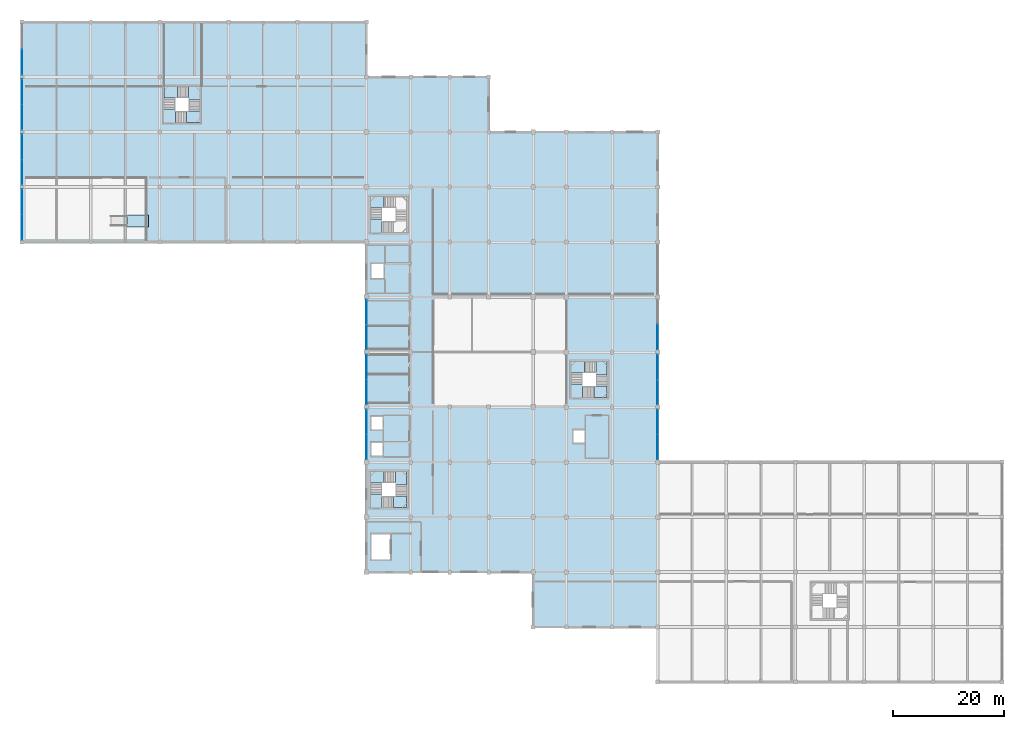
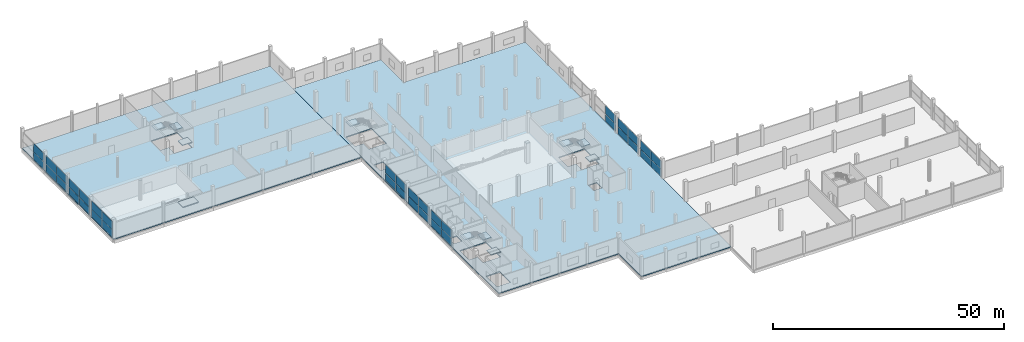
# One storey, part 40 of 72: 36 plates, 13 slabs, 14 elements without a shape of their own.
"""IFC4 building model written with IfcOpenShell, lengths in metres."""

from ifc_helpers import new_model, si_unit, direction, frame, origin, origin_2d, place, context, subcontext, project, spatial, polyline, rectangle, outline, extrude, material, layer, layer_set, type_object, element, aggregate, save


model = new_model("IFC4")

# Units and contexts
model_context = context("Model", 3, precision=1e-05, world=origin(), true_north=direction((0.0, 1.0)))
body_context = subcontext(model_context, "Body", "Model", "MODEL_VIEW")
ifc_project = project(units=[si_unit("LENGTHUNIT", "METRE"), si_unit("AREAUNIT", "SQUARE_METRE"), si_unit("VOLUMEUNIT", "CUBIC_METRE"), si_unit("PLANEANGLEUNIT", "RADIAN"), si_unit("MASSUNIT", "GRAM", prefix="KILO")], contexts=[model_context])

# Site, building, storey
site_placement = place(None, origin())
site = spatial("IfcSite", under=ifc_project, at=site_placement, CompositionType="ELEMENT")
building_placement = place(site_placement, origin())
building = spatial("IfcBuilding", under=site, at=building_placement, Name="Sillaruma Civic Art Gallery", CompositionType="ELEMENT")
storey_placement = place(building_placement, frame((0.0, 0.0, 10.8798828125)))
storey = spatial("IfcBuildingStorey", under=building, at=storey_placement, Name="L02", CompositionType="ELEMENT", Elevation=10.8798828125)

# Curtain wall, plates
ifc_material_1 = material(Name="Thermally Broken Extruded Aluminium 6063-T6", Category="aluminium")
ifc_layer_1 = layer(ifc_material_1, 0.139892578125, Name="Thermally Broken Extruded Aluminium 6063-T6")
ifc_layer_set_1 = layer_set([ifc_layer_1], Name="Thermally Broken Extruded Aluminium 6063-T6")
curtain_wall_type_1 = type_object("IfcCurtainWallType", Name="CW-UNI-08", PredefinedType="NOTDEFINED", material=ifc_layer_set_1)
curtain_wall_1_placement = place(storey_placement, origin())
curtain_wall_1 = element("IfcCurtainWall", 1, at=curtain_wall_1_placement, inside=storey, type_object=curtain_wall_type_1, Name="Unitised Curtain Wall CW-08 (CW-L02-WSTR-1)", PredefinedType="NOTDEFINED")
ifc_material_2 = material(Name="Low-E UV-Filtered Laminated Insulating Glass", Category="glass")
ifc_layer_2 = layer(ifc_material_2, 0.028076171875, Name="Low-E UV-Filtered Laminated Insulating Glass")
ifc_layer_set_2 = layer_set([ifc_layer_2], Name="Low-E UV-Filtered Laminated Insulating Glass")
plate_type_1 = type_object("IfcPlateType", Name="PNL-GLZ-28", PredefinedType="CURTAIN_PANEL", material=ifc_layer_set_2)
plate_1_placement = place(storey_placement, frame((0.0, 81.864990234375, 0.06005859375), z_axis=(0.0, 0.0, 1.0), x_axis=(0.0, 1.0, 0.0)))
plate_1 = element("IfcPlate", 2, at=plate_1_placement, type_object=plate_type_1, Name="CW-08 panel 1.1", PredefinedType="CURTAIN_PANEL", context=body_context, shape_type="SweptSolid", body=[
    extrude(rectangle(XDim=4.510009765625, YDim=0.028076171875, at=origin_2d()), origin(), (0.0, 0.0, 1.0), 1.9248046875),
])
plate_2_placement = place(storey_placement, frame((0.0, 81.864990234375, 2.044921875), z_axis=(0.0, 0.0, 1.0), x_axis=(0.0, 1.0, 0.0)))
plate_2 = element("IfcPlate", 3, at=plate_2_placement, type_object=plate_type_1, Name="CW-08 panel 1.2", PredefinedType="CURTAIN_PANEL", context=body_context, shape_type="SweptSolid", body=[
    extrude(rectangle(XDim=4.510009765625, YDim=0.028076171875, at=origin_2d()), origin(), (0.0, 0.0, 1.0), 2.275146484375),
])
plate_3_placement = place(storey_placement, frame((0.0, 86.43505859375, 0.06005859375), z_axis=(0.0, 0.0, 1.0), x_axis=(0.0, 1.0, 0.0)))
plate_3 = element("IfcPlate", 4, at=plate_3_placement, type_object=plate_type_1, Name="CW-08 panel 2.1", PredefinedType="CURTAIN_PANEL", context=body_context, shape_type="SweptSolid", body=[
    extrude(rectangle(XDim=4.510009765625, YDim=0.028076171875, at=origin_2d()), origin(), (0.0, 0.0, 1.0), 1.9248046875),
])
plate_4_placement = place(storey_placement, frame((0.0, 86.43505859375, 2.044921875), z_axis=(0.0, 0.0, 1.0), x_axis=(0.0, 1.0, 0.0)))
plate_4 = element("IfcPlate", 5, at=plate_4_placement, type_object=plate_type_1, Name="CW-08 panel 2.2", PredefinedType="CURTAIN_PANEL", context=body_context, shape_type="SweptSolid", body=[
    extrude(rectangle(XDim=4.510009765625, YDim=0.028076171875, at=origin_2d()), origin(), (0.0, 0.0, 1.0), 2.275146484375),
])
aggregate(curtain_wall_1, [plate_1, plate_2, plate_3, plate_4])

ifc_layer_3 = layer(ifc_material_1, 0.159912109375, Name="Thermally Broken Extruded Aluminium 6063-T6")
ifc_layer_set_3 = layer_set([ifc_layer_3], Name="Thermally Broken Extruded Aluminium 6063-T6")
curtain_wall_type_2 = type_object("IfcCurtainWallType", Name="CW-UNI-10", PredefinedType="NOTDEFINED", material=ifc_layer_set_3)
curtain_wall_2_placement = place(storey_placement, origin())
curtain_wall_2 = element("IfcCurtainWall", 6, at=curtain_wall_2_placement, inside=storey, type_object=curtain_wall_type_2, Name="Unitised Curtain Wall CW-10 (CW-L02-WSTR-3)", PredefinedType="NOTDEFINED")
ifc_layer_4 = layer(ifc_material_2, 0.030029296875, Name="Low-E UV-Filtered Laminated Insulating Glass")
ifc_layer_set_4 = layer_set([ifc_layer_4], Name="Low-E UV-Filtered Laminated Insulating Glass")
plate_type_2 = type_object("IfcPlateType", Name="PNL-GLZ-30", PredefinedType="CURTAIN_PANEL", material=ifc_layer_set_4)
plate_5_placement = place(storey_placement, frame((0.0, 101.666259765625, 0.06005859375), z_axis=(0.0, 0.0, 1.0), x_axis=(0.0, 1.0, 0.0)))
plate_5 = element("IfcPlate", 7, at=plate_5_placement, type_object=plate_type_2, Name="CW-10 panel 1.1", PredefinedType="CURTAIN_PANEL", context=body_context, shape_type="SweptSolid", body=[
    extrude(rectangle(XDim=4.50244140625, YDim=0.030029296875, at=origin_2d()), origin(), (0.0, 0.0, 1.0), 1.9248046875),
])
plate_6_placement = place(storey_placement, frame((0.0, 101.666259765625, 2.044921875), z_axis=(0.0, 0.0, 1.0), x_axis=(0.0, 1.0, 0.0)))
plate_6 = element("IfcPlate", 8, at=plate_6_placement, type_object=plate_type_2, Name="CW-10 panel 1.2", PredefinedType="CURTAIN_PANEL", context=body_context, shape_type="SweptSolid", body=[
    extrude(rectangle(XDim=4.50244140625, YDim=0.030029296875, at=origin_2d()), origin(), (0.0, 0.0, 1.0), 2.275146484375),
])
plate_7_placement = place(storey_placement, frame((0.0, 106.233642578125, 0.06005859375), z_axis=(0.0, 0.0, 1.0), x_axis=(0.0, 1.0, 0.0)))
plate_7 = element("IfcPlate", 9, at=plate_7_placement, type_object=plate_type_2, Name="CW-10 panel 2.1", PredefinedType="CURTAIN_PANEL", context=body_context, shape_type="SweptSolid", body=[
    extrude(rectangle(XDim=4.50244140625, YDim=0.030029296875, at=origin_2d()), origin(), (0.0, 0.0, 1.0), 1.9248046875),
])
plate_8_placement = place(storey_placement, frame((0.0, 106.233642578125, 2.044921875), z_axis=(0.0, 0.0, 1.0), x_axis=(0.0, 1.0, 0.0)))
plate_8 = element("IfcPlate", 10, at=plate_8_placement, type_object=plate_type_2, Name="CW-10 panel 2.2", PredefinedType="CURTAIN_PANEL", context=body_context, shape_type="SweptSolid", body=[
    extrude(rectangle(XDim=4.50244140625, YDim=0.030029296875, at=origin_2d()), origin(), (0.0, 0.0, 1.0), 2.275146484375),
])
aggregate(curtain_wall_2, [plate_5, plate_6, plate_7, plate_8])

ifc_layer_5 = layer(ifc_material_1, 0.159912109375, Name="Thermally Broken Extruded Aluminium 6063-T6")
ifc_layer_set_5 = layer_set([ifc_layer_5], Name="Thermally Broken Extruded Aluminium 6063-T6")
curtain_wall_type_3 = type_object("IfcCurtainWallType", Name="CW-UNI-14", PredefinedType="NOTDEFINED", material=ifc_layer_set_5)
curtain_wall_3_placement = place(storey_placement, origin())
curtain_wall_3 = element("IfcCurtainWall", 11, at=curtain_wall_3_placement, inside=storey, type_object=curtain_wall_type_3, Name="Unitised Curtain Wall CW-14 (CW-L02-SPW-3)", PredefinedType="NOTDEFINED")
plate_9_placement = place(storey_placement, frame((62.0, 42.3037109375, 0.06005859375), z_axis=(0.0, 0.0, 1.0), x_axis=(0.0, 1.0, 0.0)))
plate_9 = element("IfcPlate", 12, at=plate_9_placement, type_object=plate_type_2, Name="CW-14 panel 1.1", PredefinedType="CURTAIN_PANEL", context=body_context, shape_type="SweptSolid", body=[
    extrude(rectangle(XDim=4.427490234375, YDim=0.030029296875, at=origin_2d()), origin(), (0.0, 0.0, 1.0), 1.9248046875),
])
plate_10_placement = place(storey_placement, frame((62.0, 42.3037109375, 2.044921875), z_axis=(0.0, 0.0, 1.0), x_axis=(0.0, 1.0, 0.0)))
plate_10 = element("IfcPlate", 13, at=plate_10_placement, type_object=plate_type_2, Name="CW-14 panel 1.2", PredefinedType="CURTAIN_PANEL", context=body_context, shape_type="SweptSolid", body=[
    extrude(rectangle(XDim=4.427490234375, YDim=0.030029296875, at=origin_2d()), origin(), (0.0, 0.0, 1.0), 2.275146484375),
])
plate_11_placement = place(storey_placement, frame((62.0, 46.796142578125, 0.06005859375), z_axis=(0.0, 0.0, 1.0), x_axis=(0.0, 1.0, 0.0)))
plate_11 = element("IfcPlate", 14, at=plate_11_placement, type_object=plate_type_2, Name="CW-14 panel 2.1", PredefinedType="CURTAIN_PANEL", context=body_context, shape_type="SweptSolid", body=[
    extrude(rectangle(XDim=4.427490234375, YDim=0.030029296875, at=origin_2d()), origin(), (0.0, 0.0, 1.0), 1.9248046875),
])
plate_12_placement = place(storey_placement, frame((62.0, 46.796142578125, 2.044921875), z_axis=(0.0, 0.0, 1.0), x_axis=(0.0, 1.0, 0.0)))
plate_12 = element("IfcPlate", 15, at=plate_12_placement, type_object=plate_type_2, Name="CW-14 panel 2.2", PredefinedType="CURTAIN_PANEL", context=body_context, shape_type="SweptSolid", body=[
    extrude(rectangle(XDim=4.427490234375, YDim=0.030029296875, at=origin_2d()), origin(), (0.0, 0.0, 1.0), 2.275146484375),
])
aggregate(curtain_wall_3, [plate_9, plate_10, plate_11, plate_12])

ifc_layer_6 = layer(ifc_material_1, 0.159912109375, Name="Thermally Broken Extruded Aluminium 6063-T6")
ifc_layer_set_6 = layer_set([ifc_layer_6], Name="Thermally Broken Extruded Aluminium 6063-T6")
curtain_wall_type_4 = type_object("IfcCurtainWallType", Name="CW-UNI-17", PredefinedType="NOTDEFINED", material=ifc_layer_set_6)
curtain_wall_4_placement = place(storey_placement, origin())
curtain_wall_4 = element("IfcCurtainWall", 16, at=curtain_wall_4_placement, inside=storey, type_object=curtain_wall_type_4, Name="Unitised Curtain Wall CW-17 (CW-L02-SPE-5)", PredefinedType="NOTDEFINED")
ifc_layer_7 = layer(ifc_material_2, 0.031982421875, Name="Low-E UV-Filtered Laminated Insulating Glass")
ifc_layer_set_7 = layer_set([ifc_layer_7], Name="Low-E UV-Filtered Laminated Insulating Glass")
plate_type_3 = type_object("IfcPlateType", Name="PNL-GLZ-32", PredefinedType="CURTAIN_PANEL", material=ifc_layer_set_7)
plate_13_placement = place(storey_placement, frame((114.39990234375, 62.09130859375, 0.06494140625), z_axis=(0.0, 0.0, 1.0), x_axis=(0.0, 1.0, 0.0)))
plate_13 = element("IfcPlate", 17, at=plate_13_placement, type_object=plate_type_3, Name="CW-17 panel 1.1", PredefinedType="CURTAIN_PANEL", context=body_context, shape_type="SweptSolid", body=[
    extrude(rectangle(XDim=4.452392578125, YDim=0.031982421875, at=origin_2d()), origin(), (0.0, 0.0, 1.0), 1.917236328125),
])
plate_14_placement = place(storey_placement, frame((114.39990234375, 62.09130859375, 2.04736328125), z_axis=(0.0, 0.0, 1.0), x_axis=(0.0, 1.0, 0.0)))
plate_14 = element("IfcPlate", 18, at=plate_14_placement, type_object=plate_type_3, Name="CW-17 panel 1.2", PredefinedType="CURTAIN_PANEL", context=body_context, shape_type="SweptSolid", body=[
    extrude(rectangle(XDim=4.452392578125, YDim=0.031982421875, at=origin_2d()), origin(), (0.0, 0.0, 1.0), 2.267578125),
])
aggregate(curtain_wall_4, [plate_13, plate_14])

ifc_layer_8 = layer(ifc_material_1, 0.139892578125, Name="Thermally Broken Extruded Aluminium 6063-T6")
ifc_layer_set_8 = layer_set([ifc_layer_8], Name="Thermally Broken Extruded Aluminium 6063-T6")
curtain_wall_type_5 = type_object("IfcCurtainWallType", Name="CW-UNI-11", PredefinedType="NOTDEFINED", material=ifc_layer_set_8)
curtain_wall_5_placement = place(storey_placement, origin())
curtain_wall_5 = element("IfcCurtainWall", 19, at=curtain_wall_5_placement, inside=storey, type_object=curtain_wall_type_5, Name="Unitised Curtain Wall CW-11 (CW-L02-WSTR-4)", PredefinedType="NOTDEFINED")
ifc_layer_9 = layer(ifc_material_2, 0.033935546875, Name="Low-E UV-Filtered Laminated Insulating Glass")
ifc_layer_set_9 = layer_set([ifc_layer_9], Name="Low-E UV-Filtered Laminated Insulating Glass")
plate_type_4 = type_object("IfcPlateType", Name="PNL-GLZ-34", PredefinedType="CURTAIN_PANEL", material=ifc_layer_set_9)
plate_15_placement = place(storey_placement, frame((0.0, 111.56494140625, 0.06494140625), z_axis=(0.0, 0.0, 1.0), x_axis=(0.0, 1.0, 0.0)))
plate_15 = element("IfcPlate", 20, at=plate_15_placement, type_object=plate_type_4, Name="CW-11 panel 1.1", PredefinedType="CURTAIN_PANEL", context=body_context, shape_type="SweptSolid", body=[
    extrude(rectangle(XDim=4.510009765625, YDim=0.033935546875, at=origin_2d()), origin(), (0.0, 0.0, 1.0), 1.917236328125),
])
plate_16_placement = place(storey_placement, frame((0.0, 111.56494140625, 2.04736328125), z_axis=(0.0, 0.0, 1.0), x_axis=(0.0, 1.0, 0.0)))
plate_16 = element("IfcPlate", 21, at=plate_16_placement, type_object=plate_type_4, Name="CW-11 panel 1.2", PredefinedType="CURTAIN_PANEL", context=body_context, shape_type="SweptSolid", body=[
    extrude(rectangle(XDim=4.510009765625, YDim=0.033935546875, at=origin_2d()), origin(), (0.0, 0.0, 1.0), 2.267578125),
])
aggregate(curtain_wall_5, [plate_15, plate_16])

ifc_layer_10 = layer(ifc_material_1, 0.139892578125, Name="Thermally Broken Extruded Aluminium 6063-T6")
ifc_layer_set_10 = layer_set([ifc_layer_10], Name="Thermally Broken Extruded Aluminium 6063-T6")
curtain_wall_type_6 = type_object("IfcCurtainWallType", Name="CW-UNI-15", PredefinedType="NOTDEFINED", material=ifc_layer_set_10)
curtain_wall_6_placement = place(storey_placement, origin())
curtain_wall_6 = element("IfcCurtainWall", 22, at=curtain_wall_6_placement, inside=storey, type_object=curtain_wall_type_6, Name="Unitised Curtain Wall CW-15 (CW-L02-SPE-3)", PredefinedType="NOTDEFINED")
plate_17_placement = place(storey_placement, frame((114.39990234375, 42.2900390625, 0.06494140625), z_axis=(0.0, 0.0, 1.0), x_axis=(0.0, 1.0, 0.0)))
plate_17 = element("IfcPlate", 23, at=plate_17_placement, type_object=plate_type_4, Name="CW-15 panel 1.1", PredefinedType="CURTAIN_PANEL", context=body_context, shape_type="SweptSolid", body=[
    extrude(rectangle(XDim=4.4599609375, YDim=0.033935546875, at=origin_2d()), origin(), (0.0, 0.0, 1.0), 1.917236328125),
])
plate_18_placement = place(storey_placement, frame((114.39990234375, 42.2900390625, 2.04736328125), z_axis=(0.0, 0.0, 1.0), x_axis=(0.0, 1.0, 0.0)))
plate_18 = element("IfcPlate", 24, at=plate_18_placement, type_object=plate_type_4, Name="CW-15 panel 1.2", PredefinedType="CURTAIN_PANEL", context=body_context, shape_type="SweptSolid", body=[
    extrude(rectangle(XDim=4.4599609375, YDim=0.033935546875, at=origin_2d()), origin(), (0.0, 0.0, 1.0), 2.267578125),
])
plate_19_placement = place(storey_placement, frame((114.39990234375, 46.81005859375, 0.06494140625), z_axis=(0.0, 0.0, 1.0), x_axis=(0.0, 1.0, 0.0)))
plate_19 = element("IfcPlate", 25, at=plate_19_placement, type_object=plate_type_4, Name="CW-15 panel 2.1", PredefinedType="CURTAIN_PANEL", context=body_context, shape_type="SweptSolid", body=[
    extrude(rectangle(XDim=4.4599609375, YDim=0.033935546875, at=origin_2d()), origin(), (0.0, 0.0, 1.0), 1.917236328125),
])
plate_20_placement = place(storey_placement, frame((114.39990234375, 46.81005859375, 2.04736328125), z_axis=(0.0, 0.0, 1.0), x_axis=(0.0, 1.0, 0.0)))
plate_20 = element("IfcPlate", 26, at=plate_20_placement, type_object=plate_type_4, Name="CW-15 panel 2.2", PredefinedType="CURTAIN_PANEL", context=body_context, shape_type="SweptSolid", body=[
    extrude(rectangle(XDim=4.4599609375, YDim=0.033935546875, at=origin_2d()), origin(), (0.0, 0.0, 1.0), 2.267578125),
])
aggregate(curtain_wall_6, [plate_17, plate_18, plate_19, plate_20])

curtain_wall_7_placement = place(storey_placement, origin())
curtain_wall_7 = element("IfcCurtainWall", 27, at=curtain_wall_7_placement, inside=storey, type_object=curtain_wall_type_6, Name="Unitised Curtain Wall CW-15 (CW-L02-SPW-4)", PredefinedType="NOTDEFINED")
plate_21_placement = place(storey_placement, frame((62.0, 52.202392578125, 0.06494140625), z_axis=(0.0, 0.0, 1.0), x_axis=(0.0, 1.0, 0.0)))
plate_21 = element("IfcPlate", 28, at=plate_21_placement, type_object=plate_type_4, Name="CW-15 panel 1.1", PredefinedType="CURTAIN_PANEL", context=body_context, shape_type="SweptSolid", body=[
    extrude(rectangle(XDim=4.43505859375, YDim=0.033935546875, at=origin_2d()), origin(), (0.0, 0.0, 1.0), 1.917236328125),
])
plate_22_placement = place(storey_placement, frame((62.0, 52.202392578125, 2.04736328125), z_axis=(0.0, 0.0, 1.0), x_axis=(0.0, 1.0, 0.0)))
plate_22 = element("IfcPlate", 29, at=plate_22_placement, type_object=plate_type_4, Name="CW-15 panel 1.2", PredefinedType="CURTAIN_PANEL", context=body_context, shape_type="SweptSolid", body=[
    extrude(rectangle(XDim=4.43505859375, YDim=0.033935546875, at=origin_2d()), origin(), (0.0, 0.0, 1.0), 2.267578125),
])
plate_23_placement = place(storey_placement, frame((62.0, 56.697509765625, 0.06494140625), z_axis=(0.0, 0.0, 1.0), x_axis=(0.0, 1.0, 0.0)))
plate_23 = element("IfcPlate", 30, at=plate_23_placement, type_object=plate_type_4, Name="CW-15 panel 2.1", PredefinedType="CURTAIN_PANEL", context=body_context, shape_type="SweptSolid", body=[
    extrude(rectangle(XDim=4.43505859375, YDim=0.033935546875, at=origin_2d()), origin(), (0.0, 0.0, 1.0), 1.917236328125),
])
plate_24_placement = place(storey_placement, frame((62.0, 56.697509765625, 2.04736328125), z_axis=(0.0, 0.0, 1.0), x_axis=(0.0, 1.0, 0.0)))
plate_24 = element("IfcPlate", 31, at=plate_24_placement, type_object=plate_type_4, Name="CW-15 panel 2.2", PredefinedType="CURTAIN_PANEL", context=body_context, shape_type="SweptSolid", body=[
    extrude(rectangle(XDim=4.43505859375, YDim=0.033935546875, at=origin_2d()), origin(), (0.0, 0.0, 1.0), 2.267578125),
])
aggregate(curtain_wall_7, [plate_21, plate_22, plate_23, plate_24])

ifc_layer_11 = layer(ifc_material_1, 0.179931640625, Name="Thermally Broken Extruded Aluminium 6063-T6")
ifc_layer_set_11 = layer_set([ifc_layer_11], Name="Thermally Broken Extruded Aluminium 6063-T6")
curtain_wall_type_7 = type_object("IfcCurtainWallType", Name="CW-UNI-16", PredefinedType="NOTDEFINED", material=ifc_layer_set_11)
curtain_wall_8_placement = place(storey_placement, origin())
curtain_wall_8 = element("IfcCurtainWall", 32, at=curtain_wall_8_placement, inside=storey, type_object=curtain_wall_type_7, Name="Unitised Curtain Wall CW-16 (CW-L02-SPE-4)", PredefinedType="NOTDEFINED")
ifc_layer_12 = layer(ifc_material_2, 0.035888671875, Name="Low-E UV-Filtered Laminated Insulating Glass")
ifc_layer_set_12 = layer_set([ifc_layer_12], Name="Low-E UV-Filtered Laminated Insulating Glass")
plate_type_5 = type_object("IfcPlateType", Name="PNL-GLZ-36", PredefinedType="CURTAIN_PANEL", material=ifc_layer_set_12)
plate_25_placement = place(storey_placement, frame((114.39990234375, 52.1923828125, 0.06982421875), z_axis=(0.0, 0.0, 1.0), x_axis=(0.0, 1.0, 0.0)))
plate_25 = element("IfcPlate", 33, at=plate_25_placement, type_object=plate_type_5, Name="CW-16 panel 1.1", PredefinedType="CURTAIN_PANEL", context=body_context, shape_type="SweptSolid", body=[
    extrude(rectangle(XDim=4.445068359375, YDim=0.035888671875, at=origin_2d()), origin(), (0.0, 0.0, 1.0), 1.909912109375),
])
plate_26_placement = place(storey_placement, frame((114.39990234375, 52.1923828125, 2.0498046875), z_axis=(0.0, 0.0, 1.0), x_axis=(0.0, 1.0, 0.0)))
plate_26 = element("IfcPlate", 34, at=plate_26_placement, type_object=plate_type_5, Name="CW-16 panel 1.2", PredefinedType="CURTAIN_PANEL", context=body_context, shape_type="SweptSolid", body=[
    extrude(rectangle(XDim=4.445068359375, YDim=0.035888671875, at=origin_2d()), origin(), (0.0, 0.0, 1.0), 2.26025390625),
])
plate_27_placement = place(storey_placement, frame((114.39990234375, 56.70751953125, 0.06982421875), z_axis=(0.0, 0.0, 1.0), x_axis=(0.0, 1.0, 0.0)))
plate_27 = element("IfcPlate", 35, at=plate_27_placement, type_object=plate_type_5, Name="CW-16 panel 2.1", PredefinedType="CURTAIN_PANEL", context=body_context, shape_type="SweptSolid", body=[
    extrude(rectangle(XDim=4.445068359375, YDim=0.035888671875, at=origin_2d()), origin(), (0.0, 0.0, 1.0), 1.909912109375),
])
plate_28_placement = place(storey_placement, frame((114.39990234375, 56.70751953125, 2.0498046875), z_axis=(0.0, 0.0, 1.0), x_axis=(0.0, 1.0, 0.0)))
plate_28 = element("IfcPlate", 36, at=plate_28_placement, type_object=plate_type_5, Name="CW-16 panel 2.2", PredefinedType="CURTAIN_PANEL", context=body_context, shape_type="SweptSolid", body=[
    extrude(rectangle(XDim=4.445068359375, YDim=0.035888671875, at=origin_2d()), origin(), (0.0, 0.0, 1.0), 2.26025390625),
])
aggregate(curtain_wall_8, [plate_25, plate_26, plate_27, plate_28])

ifc_layer_13 = layer(ifc_material_1, 0.179931640625, Name="Thermally Broken Extruded Aluminium 6063-T6")
ifc_layer_set_13 = layer_set([ifc_layer_13], Name="Thermally Broken Extruded Aluminium 6063-T6")
curtain_wall_type_8 = type_object("IfcCurtainWallType", Name="CW-UNI-06", PredefinedType="NOTDEFINED", material=ifc_layer_set_13)
curtain_wall_9_placement = place(storey_placement, origin())
curtain_wall_9 = element("IfcCurtainWall", 37, at=curtain_wall_9_placement, inside=storey, type_object=curtain_wall_type_8, Name="Unitised Curtain Wall CW-06 (CW-L02-SPW-5)", PredefinedType="NOTDEFINED")
plate_29_placement = place(storey_placement, frame((62.0, 62.10498046875, 0.06982421875), z_axis=(0.0, 0.0, 1.0), x_axis=(0.0, 1.0, 0.0)))
plate_29 = element("IfcPlate", 38, at=plate_29_placement, type_object=plate_type_5, Name="CW-06 panel 1.1", PredefinedType="CURTAIN_PANEL", context=body_context, shape_type="SweptSolid", body=[
    extrude(rectangle(XDim=4.419921875, YDim=0.035888671875, at=origin_2d()), origin(), (0.0, 0.0, 1.0), 1.909912109375),
])
plate_30_placement = place(storey_placement, frame((62.0, 62.10498046875, 2.0498046875), z_axis=(0.0, 0.0, 1.0), x_axis=(0.0, 1.0, 0.0)))
plate_30 = element("IfcPlate", 39, at=plate_30_placement, type_object=plate_type_5, Name="CW-06 panel 1.2", PredefinedType="CURTAIN_PANEL", context=body_context, shape_type="SweptSolid", body=[
    extrude(rectangle(XDim=4.419921875, YDim=0.035888671875, at=origin_2d()), origin(), (0.0, 0.0, 1.0), 2.26025390625),
])
plate_31_placement = place(storey_placement, frame((62.0, 66.594970703125, 0.06982421875), z_axis=(0.0, 0.0, 1.0), x_axis=(0.0, 1.0, 0.0)))
plate_31 = element("IfcPlate", 40, at=plate_31_placement, type_object=plate_type_5, Name="CW-06 panel 2.1", PredefinedType="CURTAIN_PANEL", context=body_context, shape_type="SweptSolid", body=[
    extrude(rectangle(XDim=4.419921875, YDim=0.035888671875, at=origin_2d()), origin(), (0.0, 0.0, 1.0), 1.909912109375),
])
plate_32_placement = place(storey_placement, frame((62.0, 66.594970703125, 2.0498046875), z_axis=(0.0, 0.0, 1.0), x_axis=(0.0, 1.0, 0.0)))
plate_32 = element("IfcPlate", 41, at=plate_32_placement, type_object=plate_type_5, Name="CW-06 panel 2.2", PredefinedType="CURTAIN_PANEL", context=body_context, shape_type="SweptSolid", body=[
    extrude(rectangle(XDim=4.419921875, YDim=0.035888671875, at=origin_2d()), origin(), (0.0, 0.0, 1.0), 2.26025390625),
])
aggregate(curtain_wall_9, [plate_29, plate_30, plate_31, plate_32])

ifc_layer_14 = layer(ifc_material_1, 0.179931640625, Name="Thermally Broken Extruded Aluminium 6063-T6")
ifc_layer_set_14 = layer_set([ifc_layer_14], Name="Thermally Broken Extruded Aluminium 6063-T6")
curtain_wall_type_9 = type_object("IfcCurtainWallType", Name="CW-UNI-09", PredefinedType="NOTDEFINED", material=ifc_layer_set_14)
curtain_wall_10_placement = place(storey_placement, origin())
curtain_wall_10 = element("IfcCurtainWall", 42, at=curtain_wall_10_placement, inside=storey, type_object=curtain_wall_type_9, Name="Unitised Curtain Wall CW-09 (CW-L02-WSTR-2)", PredefinedType="NOTDEFINED")
ifc_layer_15 = layer(ifc_material_2, 0.0400390625, Name="Low-E UV-Filtered Laminated Insulating Glass")
ifc_layer_set_15 = layer_set([ifc_layer_15], Name="Low-E UV-Filtered Laminated Insulating Glass")
plate_type_6 = type_object("IfcPlateType", Name="PNL-GLZ-40", PredefinedType="CURTAIN_PANEL", material=ifc_layer_set_15)
plate_33_placement = place(storey_placement, frame((0.0, 91.767578125, 0.06494140625), z_axis=(0.0, 0.0, 1.0), x_axis=(0.0, 1.0, 0.0)))
plate_33 = element("IfcPlate", 43, at=plate_33_placement, type_object=plate_type_6, Name="CW-09 panel 1.1", PredefinedType="CURTAIN_PANEL", context=body_context, shape_type="SweptSolid", body=[
    extrude(rectangle(XDim=4.4951171875, YDim=0.0400390625, at=origin_2d()), origin(), (0.0, 0.0, 1.0), 1.917236328125),
])
plate_34_placement = place(storey_placement, frame((0.0, 91.767578125, 2.04736328125), z_axis=(0.0, 0.0, 1.0), x_axis=(0.0, 1.0, 0.0)))
plate_34 = element("IfcPlate", 44, at=plate_34_placement, type_object=plate_type_6, Name="CW-09 panel 1.2", PredefinedType="CURTAIN_PANEL", context=body_context, shape_type="SweptSolid", body=[
    extrude(rectangle(XDim=4.4951171875, YDim=0.0400390625, at=origin_2d()), origin(), (0.0, 0.0, 1.0), 2.267578125),
])
plate_35_placement = place(storey_placement, frame((0.0, 96.33251953125, 0.06494140625), z_axis=(0.0, 0.0, 1.0), x_axis=(0.0, 1.0, 0.0)))
plate_35 = element("IfcPlate", 45, at=plate_35_placement, type_object=plate_type_6, Name="CW-09 panel 2.1", PredefinedType="CURTAIN_PANEL", context=body_context, shape_type="SweptSolid", body=[
    extrude(rectangle(XDim=4.4951171875, YDim=0.0400390625, at=origin_2d()), origin(), (0.0, 0.0, 1.0), 1.917236328125),
])
plate_36_placement = place(storey_placement, frame((0.0, 96.33251953125, 2.04736328125), z_axis=(0.0, 0.0, 1.0), x_axis=(0.0, 1.0, 0.0)))
plate_36 = element("IfcPlate", 46, at=plate_36_placement, type_object=plate_type_6, Name="CW-09 panel 2.2", PredefinedType="CURTAIN_PANEL", context=body_context, shape_type="SweptSolid", body=[
    extrude(rectangle(XDim=4.4951171875, YDim=0.0400390625, at=origin_2d()), origin(), (0.0, 0.0, 1.0), 2.267578125),
])
aggregate(curtain_wall_10, [plate_33, plate_34, plate_35, plate_36])

# Slabs
ifc_material_3 = material(Name="Concrete H35 (35 MPa)", Category="concrete")
ifc_layer_16 = layer(ifc_material_3, 0.260009765625, Name="Concrete H35 (35 MPa)")
ifc_layer_set_16 = layer_set([ifc_layer_16], Name="Concrete H35 (35 MPa)")
slab_type_1 = type_object("IfcSlabType", Name="SLB-FLR-260", PredefinedType="FLOOR", material=ifc_layer_set_16)
slab_1_placement = place(storey_placement, frame((0.0, 0.0, -0.259765625)))
element("IfcSlab", 47, at=slab_1_placement, inside=storey, type_object=slab_type_1, Name="Floor Slab SF-260 (SLB-L02-WEST)", PredefinedType="FLOOR", context=body_context, shape_type="SweptSolid", body=[
    extrude(outline(polyline([(0.0, 79.199951171875), (62.0, 79.199951171875), (62.0, 118.800048828125), (0.0, 118.800048828125), (0.0, 79.199951171875)]), holes=[polyline([(27.614990234375, 100.699951171875), (32.0400390625, 100.699951171875), (32.0400390625, 107.179931640625), (25.56005859375, 107.179931640625), (25.56005859375, 103.125), (27.614990234375, 103.125), (27.614990234375, 100.699951171875)])]), origin(), (0.0, 0.0, 1.0), 0.259765625),
])
slab_2_placement = place(storey_placement, frame((0.0, 0.0, -0.259765625)))
element("IfcSlab", 48, at=slab_2_placement, inside=storey, type_object=slab_type_1, Name="Floor Slab SF-260 (SLB-L02-CENT)", PredefinedType="FLOOR", context=body_context, shape_type="SweptSolid", body=[
    extrude(outline(polyline([(92.0, 9.89990234375), (114.39990234375, 9.89990234375), (114.39990234375, 99.0), (84.0, 99.0), (84.0, 108.89990234375), (62.0, 108.89990234375), (62.0, 19.800048828125), (92.0, 19.800048828125), (92.0, 9.89990234375)]), holes=[polyline([(64.81494140625, 80.909912109375), (69.239990234375, 80.909912109375), (69.239990234375, 87.389892578125), (62.760009765625, 87.389892578125), (62.760009765625, 83.3349609375), (64.81494140625, 83.3349609375), (64.81494140625, 80.909912109375)]), polyline([(64.81494140625, 31.409912109375), (69.239990234375, 31.409912109375), (69.239990234375, 37.889892578125), (62.760009765625, 37.889892578125), (62.760009765625, 33.8349609375), (64.81494140625, 33.8349609375), (64.81494140625, 31.409912109375)]), polyline([(100.9150390625, 51.2099609375), (105.340087890625, 51.2099609375), (105.340087890625, 57.68994140625), (98.860107421875, 57.68994140625), (98.860107421875, 53.635009765625), (100.9150390625, 53.635009765625), (100.9150390625, 51.2099609375)]), polyline([(62.89990234375, 40.75), (64.89990234375, 40.75), (64.89990234375, 43.050048828125), (62.89990234375, 43.050048828125), (62.89990234375, 40.75)]), polyline([(62.89990234375, 45.449951171875), (64.89990234375, 45.449951171875), (64.89990234375, 47.75), (62.89990234375, 47.75), (62.89990234375, 45.449951171875)]), polyline([(99.25, 43.050048828125), (101.25, 43.050048828125), (101.25, 45.35009765625), (99.25, 45.35009765625), (99.25, 43.050048828125)]), polyline([(62.89990234375, 72.64990234375), (65.10009765625, 72.64990234375), (65.10009765625, 75.25), (62.89990234375, 75.25), (62.89990234375, 72.64990234375)]), polyline([(62.89990234375, 22.050048828125), (66.300048828125, 22.050048828125), (66.300048828125, 26.64990234375), (62.89990234375, 26.64990234375), (62.89990234375, 22.050048828125)])]), origin(), (0.0, 0.0, 1.0), 0.259765625),
])

# Stair, slabs
stair_type = type_object("IfcStairType", Name="STR-4F-32", PredefinedType="USERDEFINED", material=ifc_material_3)
stair_1_placement = place(storey_placement, origin())
stair_1 = element("IfcStair", 49, at=stair_1_placement, inside=storey, type_object=stair_type, Name="Protected Exit Stair ST-01 (West Wing) (L02)", ObjectType="THREE_RETURN_STAIR", PredefinedType="USERDEFINED")
ifc_layer_17 = layer(ifc_material_3, 0.199951171875, Name="Concrete H35 (35 MPa)")
ifc_layer_set_17 = layer_set([ifc_layer_17], Name="Concrete H35 (35 MPa)")
slab_type_2 = type_object("IfcSlabType", Name="SLB-LND-200", PredefinedType="LANDING", material=ifc_layer_set_17)
slab_3_placement = place(storey_placement, frame((0.0, 0.0, 1.16015625)))
slab_3 = element("IfcSlab", 50, at=slab_3_placement, type_object=slab_type_2, Name="ST-01 landing 1", PredefinedType="LANDING", context=body_context, shape_type="SweptSolid", body=[
    extrude(outline(polyline([(29.6298828125, 100.699951171875), (32.0400390625, 100.699951171875), (32.0400390625, 102.739990234375), (29.6298828125, 102.739990234375), (29.6298828125, 100.699951171875)])), origin(), (0.0, 0.0, 1.0), 0.199951171875),
])
slab_4_placement = place(storey_placement, frame((0.0, 0.0, 2.52001953125)))
slab_4 = element("IfcSlab", 51, at=slab_4_placement, type_object=slab_type_2, Name="ST-01 landing 2", PredefinedType="LANDING", context=body_context, shape_type="SweptSolid", body=[
    extrude(outline(polyline([(30.0, 104.77001953125), (32.0400390625, 104.77001953125), (32.0400390625, 107.179931640625), (30.0, 107.179931640625), (30.0, 104.77001953125)])), origin(), (0.0, 0.0, 1.0), 0.2001953125),
])
slab_5_placement = place(storey_placement, frame((0.0, 0.0, 3.880126953125)))
slab_5 = element("IfcSlab", 52, at=slab_5_placement, type_object=slab_type_2, Name="ST-01 landing 3", PredefinedType="LANDING", context=body_context, shape_type="SweptSolid", body=[
    extrude(outline(polyline([(25.56005859375, 105.139892578125), (27.969970703125, 105.139892578125), (27.969970703125, 107.179931640625), (25.56005859375, 107.179931640625), (25.56005859375, 105.139892578125)])), origin(), (0.0, 0.0, 1.0), 0.199951171875),
])
aggregate(stair_1, [slab_3, slab_4, slab_5])

# Stair, slab
stair_2_placement = place(storey_placement, origin())
stair_2 = element("IfcStair", 53, at=stair_2_placement, inside=storey, type_object=stair_type, Name="Protected Exit Stair ST-02 (West Bar North) (L02)", ObjectType="THREE_RETURN_STAIR", PredefinedType="USERDEFINED")
slab_6_placement = place(storey_placement, frame((0.0, 0.0, 3.880126953125)))
slab_6 = element("IfcSlab", 54, at=slab_6_placement, type_object=slab_type_2, Name="ST-02 landing 3", PredefinedType="LANDING", context=body_context, shape_type="SweptSolid", body=[
    extrude(outline(polyline([(62.760009765625, 85.35009765625), (65.169921875, 85.35009765625), (65.169921875, 87.389892578125), (62.760009765625, 87.389892578125), (62.760009765625, 85.35009765625)])), origin(), (0.0, 0.0, 1.0), 0.199951171875),
])
aggregate(stair_2, [slab_6])

# Stair, slabs
stair_3_placement = place(storey_placement, origin())
stair_3 = element("IfcStair", 55, at=stair_3_placement, inside=storey, type_object=stair_type, Name="Protected Exit Stair ST-03 (West Bar South) (L02)", ObjectType="THREE_RETURN_STAIR", PredefinedType="USERDEFINED")
slab_7_placement = place(storey_placement, frame((0.0, 0.0, 1.16015625)))
slab_7 = element("IfcSlab", 56, at=slab_7_placement, type_object=slab_type_2, Name="ST-03 landing 1", PredefinedType="LANDING", context=body_context, shape_type="SweptSolid", body=[
    extrude(outline(polyline([(66.830078125, 31.409912109375), (69.239990234375, 31.409912109375), (69.239990234375, 33.449951171875), (66.830078125, 33.449951171875), (66.830078125, 31.409912109375)])), origin(), (0.0, 0.0, 1.0), 0.199951171875),
])
slab_8_placement = place(storey_placement, frame((0.0, 0.0, 2.52001953125)))
slab_8 = element("IfcSlab", 57, at=slab_8_placement, type_object=slab_type_2, Name="ST-03 landing 2", PredefinedType="LANDING", context=body_context, shape_type="SweptSolid", body=[
    extrude(outline(polyline([(67.199951171875, 35.47998046875), (69.239990234375, 35.47998046875), (69.239990234375, 37.889892578125), (67.199951171875, 37.889892578125), (67.199951171875, 35.47998046875)])), origin(), (0.0, 0.0, 1.0), 0.2001953125),
])
slab_9_placement = place(storey_placement, frame((0.0, 0.0, 3.880126953125)))
slab_9 = element("IfcSlab", 58, at=slab_9_placement, type_object=slab_type_2, Name="ST-03 landing 3", PredefinedType="LANDING", context=body_context, shape_type="SweptSolid", body=[
    extrude(outline(polyline([(62.760009765625, 35.85009765625), (65.169921875, 35.85009765625), (65.169921875, 37.889892578125), (62.760009765625, 37.889892578125), (62.760009765625, 35.85009765625)])), origin(), (0.0, 0.0, 1.0), 0.199951171875),
])
aggregate(stair_3, [slab_7, slab_8, slab_9])

stair_4_placement = place(storey_placement, origin())
stair_4 = element("IfcStair", 59, at=stair_4_placement, inside=storey, type_object=stair_type, Name="Protected Exit Stair ST-04 (East Bar) (L02)", ObjectType="THREE_RETURN_STAIR", PredefinedType="USERDEFINED")
slab_10_placement = place(storey_placement, frame((0.0, 0.0, 1.16015625)))
slab_10 = element("IfcSlab", 60, at=slab_10_placement, type_object=slab_type_2, Name="ST-04 landing 1", PredefinedType="LANDING", context=body_context, shape_type="SweptSolid", body=[
    extrude(outline(polyline([(102.929931640625, 51.2099609375), (105.340087890625, 51.2099609375), (105.340087890625, 53.25), (102.929931640625, 53.25), (102.929931640625, 51.2099609375)])), origin(), (0.0, 0.0, 1.0), 0.199951171875),
])
slab_11_placement = place(storey_placement, frame((0.0, 0.0, 2.52001953125)))
slab_11 = element("IfcSlab", 61, at=slab_11_placement, type_object=slab_type_2, Name="ST-04 landing 2", PredefinedType="LANDING", context=body_context, shape_type="SweptSolid", body=[
    extrude(outline(polyline([(103.300048828125, 55.280029296875), (105.340087890625, 55.280029296875), (105.340087890625, 57.68994140625), (103.300048828125, 57.68994140625), (103.300048828125, 55.280029296875)])), origin(), (0.0, 0.0, 1.0), 0.2001953125),
])
slab_12_placement = place(storey_placement, frame((0.0, 0.0, 3.880126953125)))
slab_12 = element("IfcSlab", 62, at=slab_12_placement, type_object=slab_type_2, Name="ST-04 landing 3", PredefinedType="LANDING", context=body_context, shape_type="SweptSolid", body=[
    extrude(outline(polyline([(98.860107421875, 55.64990234375), (101.27001953125, 55.64990234375), (101.27001953125, 57.68994140625), (98.860107421875, 57.68994140625), (98.860107421875, 55.64990234375)])), origin(), (0.0, 0.0, 1.0), 0.199951171875),
])
aggregate(stair_4, [slab_10, slab_11, slab_12])

# Slab
ifc_layer_18 = layer(ifc_material_3, 0.179931640625, Name="Concrete H35 (35 MPa)")
ifc_layer_set_18 = layer_set([ifc_layer_18], Name="Concrete H35 (35 MPa)")
slab_type_3 = type_object("IfcSlabType", Name="SLB-PLN-180", PredefinedType="FLOOR", material=ifc_layer_set_18)
slab_13_placement = place(storey_placement, origin())
element("IfcSlab", 63, at=slab_13_placement, inside=storey, type_object=slab_type_3, Name="Gallery Accessible Plinth Deck (RMP-G02)", PredefinedType="FLOOR", context=body_context, shape_type="SweptSolid", body=[
    extrude(outline(polyline([(18.8798828125, 81.89990234375), (22.800048828125, 81.89990234375), (22.800048828125, 84.10009765625), (18.8798828125, 84.10009765625), (18.8798828125, 81.89990234375)])), origin(), (0.0, 0.0, 1.0), 0.18017578125),
])

save(model, "model.ifc")
